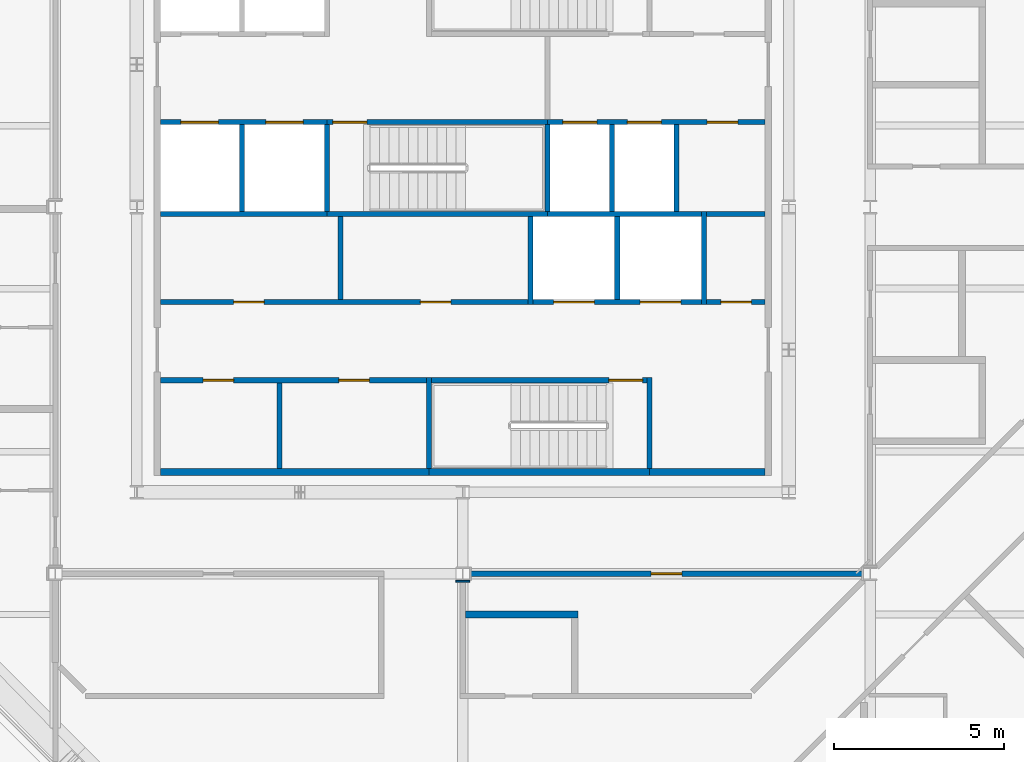
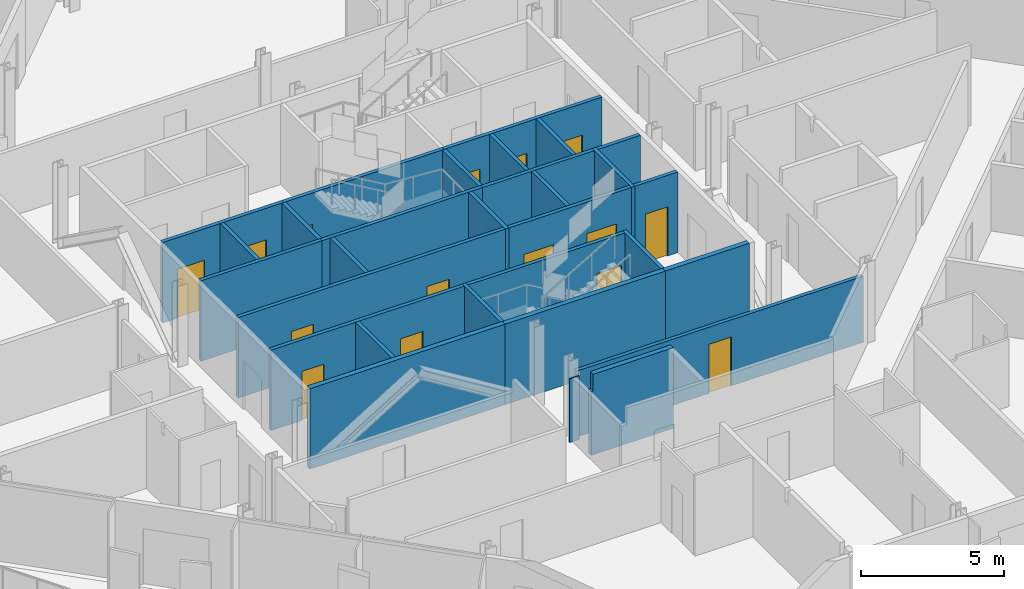
# One storey, part 8 of 17: 30 walls, 15 doors, 15 openings.
"""IFC4 building model written with IfcOpenShell, lengths in metres."""

from ifc_helpers import new_model, si_unit, direction, frame, frame_2d, origin, place, context, subcontext, project, spatial, polyline, rectangle, outline, extrude, material, layer, layer_set, type_object, element, fill, save


model = new_model("IFC4")

# Units and contexts
model_context = context("Model", 3, precision=1e-05, world=origin(), true_north=direction((0.0, 1.0)))
body_context = subcontext(model_context, "Body", "Model", "MODEL_VIEW")
ifc_project = project(units=[si_unit("LENGTHUNIT", "METRE"), si_unit("AREAUNIT", "SQUARE_METRE"), si_unit("VOLUMEUNIT", "CUBIC_METRE"), si_unit("PLANEANGLEUNIT", "RADIAN"), si_unit("MASSUNIT", "GRAM", prefix="KILO")], contexts=[model_context])

# Site, building, storey
site_placement = place(None, origin())
site = spatial("IfcSite", under=ifc_project, at=site_placement, CompositionType="ELEMENT")
building_placement = place(site_placement, origin())
building = spatial("IfcBuilding", under=site, at=building_placement, Name="Cairn Pilgrim Tower", CompositionType="ELEMENT")
storey_placement = place(building_placement, frame((0.0, 0.0, 225.0)))
storey = spatial("IfcBuildingStorey", under=building, at=storey_placement, Name="L57", CompositionType="ELEMENT", Elevation=225.0)

# Walls
ifc_material_1 = material(Name="Concrete C32/40", Category="concrete")
ifc_layer_1 = layer(ifc_material_1, 0.199951171875)
ifc_layer_set_1 = layer_set([ifc_layer_1], Name="CORE OUTER WALL 200 EI 120")
wall_type_1 = type_object("IfcWallType", Name="CORE OUTER WALL 200 EI 120", PredefinedType="SOLIDWALL", material=ifc_layer_set_1)
wall_1_placement = place(storey_placement, frame((-1.699951171875, -5.39990234375, 0.0), z_axis=(0.0, 0.0, 1.0), x_axis=(1.0, 0.0, 0.0)))
element("IfcWall", 1, at=wall_1_placement, inside=storey, type_object=wall_type_1, Name="CW:L57:H01-1", PredefinedType="SOLIDWALL", context=body_context, shape_type="SweptSolid", body=[
    extrude(rectangle(XDim=7.89990234375, YDim=0.199951171875, at=frame_2d((3.949951171875, 0.0))), origin(), (0.0, 0.0, 1.0), 3.449951171875),
])
wall_2_placement = place(storey_placement, frame((12.699951171875, -5.39990234375, 0.0), z_axis=(0.0, 0.0, 1.0), x_axis=(1.0, 0.0, 0.0)))
element("IfcWall", 2, at=wall_2_placement, inside=storey, type_object=wall_type_1, Name="CW:L57:H01-3", PredefinedType="SOLIDWALL", context=body_context, shape_type="SweptSolid", body=[
    extrude(rectangle(XDim=3.400146484375, YDim=0.199951171875, at=frame_2d((1.7001953125, 0.0))), origin(), (0.0, 0.0, 1.0), 3.449951171875),
])

# Wall, openings, doors
ifc_layer_2 = layer(ifc_material_1, 0.14990234375)
ifc_layer_set_2 = layer_set([ifc_layer_2], Name="CORE PARTITION 150 EI 60")
wall_type_2 = type_object("IfcWallType", Name="CORE PARTITION 150 EI 60", PredefinedType="PARTITIONING", material=ifc_layer_set_2)
wall_3_placement = place(storey_placement, frame((-1.699951171875, -2.699951171875, 0.0), z_axis=(0.0, 0.0, 1.0), x_axis=(1.0, 0.0, 0.0)))
wall_3 = element("IfcWall", 3, at=wall_3_placement, inside=storey, type_object=wall_type_2, Name="CW:L57:H02", PredefinedType="PARTITIONING", context=body_context, shape_type="SweptSolid", body=[
    extrude(rectangle(XDim=7.824951171875, YDim=0.14990234375, at=frame_2d((3.91259765625, 0.0))), origin(), (0.0, 0.0, 1.0), 3.449951171875),
])
opening_1_placement = place(wall_3_placement, frame((1.25, 0.0, 0.0)))
opening_1 = element("IfcOpeningElement", 4, at=opening_1_placement, cuts=wall_3, Name="Opening RD-R1W1", PredefinedType="OPENING", context=body_context, shape_type="SweptSolid", body=[
    extrude(rectangle(XDim=0.89990234375, YDim=2.10009765625, at=frame_2d((0.449951171875, 1.050048828125))), frame((0.0, 0.0849609375, 0.0), z_axis=(0.0, -1.0, 0.0), x_axis=(1.0, 0.0, 0.0)), (0.0, 0.0, 1.0), 0.169921875),
])
opening_2_placement = place(wall_3_placement, frame((5.25, 0.0, 0.0)))
opening_2 = element("IfcOpeningElement", 5, at=opening_2_placement, cuts=wall_3, Name="Opening RD-R1W2", PredefinedType="OPENING", context=body_context, shape_type="SweptSolid", body=[
    extrude(rectangle(XDim=0.89990234375, YDim=2.10009765625, at=frame_2d((0.449951171875, 1.050048828125))), frame((0.0, 0.0849609375, 0.0), z_axis=(0.0, -1.0, 0.0), x_axis=(1.0, 0.0, 0.0)), (0.0, 0.0, 1.0), 0.169921875),
])
ifc_material_2 = material(Name="Painted steel", Category="steel")
door_type_1 = type_object("IfcDoorType", Name="SERVICE ROOM DOOR 900x2100", OperationType="SINGLE_SWING_LEFT", PredefinedType="DOOR", material=ifc_material_2)
door_1_placement = place(opening_1_placement, origin())
door_1 = element("IfcDoor", 6, at=door_1_placement, inside=storey, type_object=door_type_1, Name="RD-R1W1", OperationType="SINGLE_SWING_LEFT", OverallHeight=2.10009765625, OverallWidth=0.89990234375, PredefinedType="DOOR", context=body_context, shape_type="SweptSolid", body=[
    extrude(rectangle(XDim=0.89990234375, YDim=2.10009765625, at=frame_2d((0.449951171875, 1.050048828125))), frame((0.0, 0.02490234375, 0.0), z_axis=(0.0, -1.0, 0.0), x_axis=(1.0, 0.0, 0.0)), (0.0, 0.0, 1.0), 0.050048828125),
])
fill(opening_1, door_1)
door_2_placement = place(opening_2_placement, origin())
door_2 = element("IfcDoor", 7, at=door_2_placement, inside=storey, type_object=door_type_1, Name="RD-R1W2", OperationType="SINGLE_SWING_RIGHT", OverallHeight=2.10009765625, OverallWidth=0.89990234375, PredefinedType="DOOR", context=body_context, shape_type="SweptSolid", body=[
    extrude(rectangle(XDim=0.89990234375, YDim=2.10009765625, at=frame_2d((0.449951171875, 1.050048828125))), frame((0.0, 0.02490234375, 0.0), z_axis=(0.0, -1.0, 0.0), x_axis=(1.0, 0.0, 0.0)), (0.0, 0.0, 1.0), 0.050048828125),
])
fill(opening_2, door_2)

wall_4_placement = place(storey_placement, frame((-1.699951171875, -0.39990234375, 0.0), z_axis=(0.0, 0.0, 1.0), x_axis=(1.0, 0.0, 0.0)))
wall_4 = element("IfcWall", 8, at=wall_4_placement, inside=storey, type_object=wall_type_2, Name="CW:L57:H04", PredefinedType="PARTITIONING", context=body_context, shape_type="SweptSolid", body=[
    extrude(rectangle(XDim=10.824951171875, YDim=0.14990234375, at=frame_2d((5.41259765625, 0.0))), origin(), (0.0, 0.0, 1.0), 3.449951171875),
])
opening_3_placement = place(wall_4_placement, frame((2.14990234375, 0.0, 0.0)))
opening_3 = element("IfcOpeningElement", 9, at=opening_3_placement, cuts=wall_4, Name="Opening RD-R2W1", PredefinedType="OPENING", context=body_context, shape_type="SweptSolid", body=[
    extrude(rectangle(XDim=0.89990234375, YDim=2.10009765625, at=frame_2d((0.449951171875, 1.050048828125))), frame((0.0, 0.0849609375, 0.0), z_axis=(0.0, -1.0, 0.0), x_axis=(1.0, 0.0, 0.0)), (0.0, 0.0, 1.0), 0.169921875),
])
opening_4_placement = place(wall_4_placement, frame((7.64990234375, 0.0, 0.0)))
opening_4 = element("IfcOpeningElement", 10, at=opening_4_placement, cuts=wall_4, Name="Opening RD-R2W2", PredefinedType="OPENING", context=body_context, shape_type="SweptSolid", body=[
    extrude(rectangle(XDim=0.89990234375, YDim=2.10009765625, at=frame_2d((0.449951171875, 1.050048828125))), frame((0.0, 0.0849609375, 0.0), z_axis=(0.0, -1.0, 0.0), x_axis=(1.0, 0.0, 0.0)), (0.0, 0.0, 1.0), 0.169921875),
])
door_3_placement = place(opening_3_placement, origin())
door_3 = element("IfcDoor", 11, at=door_3_placement, inside=storey, type_object=door_type_1, Name="RD-R2W1", OperationType="SINGLE_SWING_LEFT", OverallHeight=2.10009765625, OverallWidth=0.89990234375, PredefinedType="DOOR", context=body_context, shape_type="SweptSolid", body=[
    extrude(rectangle(XDim=0.89990234375, YDim=2.10009765625, at=frame_2d((0.449951171875, 1.050048828125))), frame((0.0, 0.02490234375, 0.0), z_axis=(0.0, -1.0, 0.0), x_axis=(1.0, 0.0, 0.0)), (0.0, 0.0, 1.0), 0.050048828125),
])
fill(opening_3, door_3)
door_4_placement = place(opening_4_placement, origin())
door_4 = element("IfcDoor", 12, at=door_4_placement, inside=storey, type_object=door_type_1, Name="RD-R2W2", OperationType="SINGLE_SWING_RIGHT", OverallHeight=2.10009765625, OverallWidth=0.89990234375, PredefinedType="DOOR", context=body_context, shape_type="SweptSolid", body=[
    extrude(rectangle(XDim=0.89990234375, YDim=2.10009765625, at=frame_2d((0.449951171875, 1.050048828125))), frame((0.0, 0.02490234375, 0.0), z_axis=(0.0, -1.0, 0.0), x_axis=(1.0, 0.0, 0.0)), (0.0, 0.0, 1.0), 0.050048828125),
])
fill(opening_4, door_4)

# Wall, opening, door
wall_5_placement = place(storey_placement, frame((14.375, -0.39990234375, 0.0), z_axis=(0.0, 0.0, 1.0), x_axis=(1.0, 0.0, 0.0)))
wall_5 = element("IfcWall", 13, at=wall_5_placement, inside=storey, type_object=wall_type_2, Name="CW:L57:H06", PredefinedType="PARTITIONING", context=body_context, shape_type="SweptSolid", body=[
    extrude(rectangle(XDim=1.72509765625, YDim=0.14990234375, at=frame_2d((0.862548828125, 0.0))), origin(), (0.0, 0.0, 1.0), 3.449951171875),
])
opening_5_placement = place(wall_5_placement, frame((0.425048828125, 0.0, 0.0)))
opening_5 = element("IfcOpeningElement", 14, at=opening_5_placement, cuts=wall_5, Name="Opening RD-R2E", PredefinedType="OPENING", context=body_context, shape_type="SweptSolid", body=[
    extrude(rectangle(XDim=0.89990234375, YDim=2.10009765625, at=frame_2d((0.449951171875, 1.050048828125))), frame((0.0, 0.0849609375, 0.0), z_axis=(0.0, -1.0, 0.0), x_axis=(1.0, 0.0, 0.0)), (0.0, 0.0, 1.0), 0.169921875),
])
door_5_placement = place(opening_5_placement, origin())
door_5 = element("IfcDoor", 15, at=door_5_placement, inside=storey, type_object=door_type_1, Name="RD-R2E", OperationType="SINGLE_SWING_RIGHT", OverallHeight=2.10009765625, OverallWidth=0.89990234375, PredefinedType="DOOR", context=body_context, shape_type="SweptSolid", body=[
    extrude(rectangle(XDim=0.89990234375, YDim=2.10009765625, at=frame_2d((0.449951171875, 1.050048828125))), frame((0.0, 0.02490234375, 0.0), z_axis=(0.0, -1.0, 0.0), x_axis=(1.0, 0.0, 0.0)), (0.0, 0.0, 1.0), 0.050048828125),
])
fill(opening_5, door_5)

# Walls
wall_6_placement = place(storey_placement, frame((14.375, 2.199951171875, 0.0), z_axis=(0.0, 0.0, 1.0), x_axis=(1.0, 0.0, 0.0)))
element("IfcWall", 16, at=wall_6_placement, inside=storey, type_object=wall_type_2, Name="CW:L57:H08", PredefinedType="PARTITIONING", context=body_context, shape_type="SweptSolid", body=[
    extrude(rectangle(XDim=1.72509765625, YDim=0.14990234375, at=frame_2d((0.862548828125, 0.0))), origin(), (0.0, 0.0, 1.0), 3.449951171875),
])
wall_7_placement = place(storey_placement, frame((1.800048828125, -5.300048828125, 0.0), z_axis=(0.0, 0.0, 1.0), x_axis=(0.0, 1.0, 0.0)))
element("IfcWall", 17, at=wall_7_placement, inside=storey, type_object=wall_type_2, Name="CW:L57:V16", PredefinedType="PARTITIONING", context=body_context, shape_type="SweptSolid", body=[
    extrude(rectangle(XDim=2.525146484375, YDim=0.14990234375, at=frame_2d((1.2626953125, 0.0))), origin(), (0.0, 0.0, 1.0), 3.449951171875),
])
wall_8_placement = place(storey_placement, frame((3.60009765625, -0.324951171875, 0.0), z_axis=(0.0, 0.0, 1.0), x_axis=(0.0, 1.0, 0.0)))
element("IfcWall", 18, at=wall_8_placement, inside=storey, type_object=wall_type_2, Name="CW:L57:V19", PredefinedType="PARTITIONING", context=body_context, shape_type="SweptSolid", body=[
    extrude(rectangle(XDim=2.449951171875, YDim=0.14990234375, at=frame_2d((1.22509765625, 0.0))), origin(), (0.0, 0.0, 1.0), 3.449951171875),
])

# Wall, openings, doors
ifc_layer_3 = layer(ifc_material_1, 0.14990234375)
ifc_layer_set_3 = layer_set([ifc_layer_3], Name="CORE SHAFT WALL 150 EI 120")
wall_type_3 = type_object("IfcWallType", Name="CORE SHAFT WALL 150 EI 120", PredefinedType="SOLIDWALL", material=ifc_layer_set_3)
wall_9_placement = place(storey_placement, frame((9.27490234375, -0.39990234375, 0.0), z_axis=(0.0, 0.0, 1.0), x_axis=(1.0, 0.0, 0.0)))
wall_9 = element("IfcWall", 19, at=wall_9_placement, inside=storey, type_object=wall_type_3, Name="CW:L57:H05", PredefinedType="SOLIDWALL", context=body_context, shape_type="SweptSolid", body=[
    extrude(rectangle(XDim=4.9501953125, YDim=0.14990234375, at=frame_2d((2.47509765625, 0.0))), origin(), (0.0, 0.0, 1.0), 3.449951171875),
])
opening_6_placement = place(wall_9_placement, frame((0.60009765625, 0.0, 0.0)))
opening_6 = element("IfcOpeningElement", 20, at=opening_6_placement, cuts=wall_9, Name="Opening LD-SV1", PredefinedType="OPENING", context=body_context, shape_type="SweptSolid", body=[
    extrude(rectangle(XDim=1.199951171875, YDim=2.10009765625, at=frame_2d((0.60009765625, 1.050048828125))), frame((0.0, 0.0849609375, 0.0), z_axis=(0.0, -1.0, 0.0), x_axis=(1.0, 0.0, 0.0)), (0.0, 0.0, 1.0), 0.169921875),
])
opening_7_placement = place(wall_9_placement, frame((3.14990234375, 0.0, 0.0)))
opening_7 = element("IfcOpeningElement", 21, at=opening_7_placement, cuts=wall_9, Name="Opening LD-SV2", PredefinedType="OPENING", context=body_context, shape_type="SweptSolid", body=[
    extrude(rectangle(XDim=1.199951171875, YDim=2.10009765625, at=frame_2d((0.60009765625, 1.050048828125))), frame((0.0, 0.0849609375, 0.0), z_axis=(0.0, -1.0, 0.0), x_axis=(1.0, 0.0, 0.0)), (0.0, 0.0, 1.0), 0.169921875),
])
ifc_material_3 = material(Name="Stainless steel", Category="steel")
door_type_2 = type_object("IfcDoorType", Name="LIFT LANDING DOOR 1200x2100", OperationType="DOUBLE_DOOR_SLIDING", PredefinedType="DOOR", material=ifc_material_3)
door_6_placement = place(opening_6_placement, origin())
door_6 = element("IfcDoor", 22, at=door_6_placement, inside=storey, type_object=door_type_2, Name="LANDING DOOR SV1", OperationType="DOUBLE_DOOR_SLIDING", OverallHeight=2.10009765625, OverallWidth=1.199951171875, PredefinedType="DOOR", context=body_context, shape_type="SweptSolid", body=[
    extrude(rectangle(XDim=1.199951171875, YDim=2.10009765625, at=frame_2d((0.60009765625, 1.050048828125))), frame((0.0, 0.02490234375, 0.0), z_axis=(0.0, -1.0, 0.0), x_axis=(1.0, 0.0, 0.0)), (0.0, 0.0, 1.0), 0.050048828125),
])
fill(opening_6, door_6)
door_7_placement = place(opening_7_placement, origin())
door_7 = element("IfcDoor", 23, at=door_7_placement, inside=storey, type_object=door_type_2, Name="LANDING DOOR SV2", OperationType="DOUBLE_DOOR_SLIDING", OverallHeight=2.10009765625, OverallWidth=1.199951171875, PredefinedType="DOOR", context=body_context, shape_type="SweptSolid", body=[
    extrude(rectangle(XDim=1.199951171875, YDim=2.10009765625, at=frame_2d((0.60009765625, 1.050048828125))), frame((0.0, 0.02490234375, 0.0), z_axis=(0.0, -1.0, 0.0), x_axis=(1.0, 0.0, 0.0)), (0.0, 0.0, 1.0), 0.050048828125),
])
fill(opening_7, door_7)

# Walls
wall_10_placement = place(storey_placement, frame((-1.699951171875, 2.199951171875, 0.0), z_axis=(0.0, 0.0, 1.0), x_axis=(1.0, 0.0, 0.0)))
element("IfcWall", 24, at=wall_10_placement, inside=storey, type_object=wall_type_3, Name="CW:L57:H07-1", PredefinedType="SOLIDWALL", context=body_context, shape_type="SweptSolid", body=[
    extrude(rectangle(XDim=4.89990234375, YDim=0.14990234375, at=frame_2d((2.449951171875, 0.0))), origin(), (0.0, 0.0, 1.0), 3.449951171875),
])
wall_11_placement = place(storey_placement, frame((9.699951171875, 2.199951171875, 0.0), z_axis=(0.0, 0.0, 1.0), x_axis=(1.0, 0.0, 0.0)))
element("IfcWall", 25, at=wall_11_placement, inside=storey, type_object=wall_type_3, Name="CW:L57:H07-3", PredefinedType="SOLIDWALL", context=body_context, shape_type="SweptSolid", body=[
    extrude(rectangle(XDim=4.525146484375, YDim=0.14990234375, at=frame_2d((2.2626953125, 0.0))), origin(), (0.0, 0.0, 1.0), 3.449951171875),
])

# Wall, openings, doors
wall_12_placement = place(storey_placement, frame((-1.699951171875, 4.89990234375, 0.0), z_axis=(0.0, 0.0, 1.0), x_axis=(1.0, 0.0, 0.0)))
wall_12 = element("IfcWall", 26, at=wall_12_placement, inside=storey, type_object=wall_type_3, Name="CW:L57:H09-1", PredefinedType="SOLIDWALL", context=body_context, shape_type="SweptSolid", body=[
    extrude(rectangle(XDim=4.89990234375, YDim=0.14990234375, at=frame_2d((2.449951171875, 0.0))), origin(), (0.0, 0.0, 1.0), 3.449951171875),
])
opening_8_placement = place(wall_12_placement, frame((0.60009765625, 0.0, 0.0)))
opening_8 = element("IfcOpeningElement", 27, at=opening_8_placement, cuts=wall_12, Name="Opening LD-HR1", PredefinedType="OPENING", context=body_context, shape_type="SweptSolid", body=[
    extrude(rectangle(XDim=1.10009765625, YDim=2.10009765625, at=frame_2d((0.550048828125, 1.050048828125))), frame((0.0, 0.0849609375, 0.0), z_axis=(0.0, -1.0, 0.0), x_axis=(1.0, 0.0, 0.0)), (0.0, 0.0, 1.0), 0.169921875),
])
opening_9_placement = place(wall_12_placement, frame((3.10009765625, 0.0, 0.0)))
opening_9 = element("IfcOpeningElement", 28, at=opening_9_placement, cuts=wall_12, Name="Opening LD-HR2", PredefinedType="OPENING", context=body_context, shape_type="SweptSolid", body=[
    extrude(rectangle(XDim=1.10009765625, YDim=2.10009765625, at=frame_2d((0.550048828125, 1.050048828125))), frame((0.0, 0.0849609375, 0.0), z_axis=(0.0, -1.0, 0.0), x_axis=(1.0, 0.0, 0.0)), (0.0, 0.0, 1.0), 0.169921875),
])
door_type_3 = type_object("IfcDoorType", Name="LIFT LANDING DOOR 1100x2100", OperationType="DOUBLE_DOOR_SLIDING", PredefinedType="DOOR", material=ifc_material_3)
door_8_placement = place(opening_8_placement, origin())
door_8 = element("IfcDoor", 29, at=door_8_placement, inside=storey, type_object=door_type_3, Name="LANDING DOOR HR1", OperationType="DOUBLE_DOOR_SLIDING", OverallHeight=2.10009765625, OverallWidth=1.10009765625, PredefinedType="DOOR", context=body_context, shape_type="SweptSolid", body=[
    extrude(rectangle(XDim=1.10009765625, YDim=2.10009765625, at=frame_2d((0.550048828125, 1.050048828125))), frame((0.0, 0.02490234375, 0.0), z_axis=(0.0, -1.0, 0.0), x_axis=(1.0, 0.0, 0.0)), (0.0, 0.0, 1.0), 0.050048828125),
])
fill(opening_8, door_8)
door_9_placement = place(opening_9_placement, origin())
door_9 = element("IfcDoor", 30, at=door_9_placement, inside=storey, type_object=door_type_3, Name="LANDING DOOR HR2", OperationType="DOUBLE_DOOR_SLIDING", OverallHeight=2.10009765625, OverallWidth=1.10009765625, PredefinedType="DOOR", context=body_context, shape_type="SweptSolid", body=[
    extrude(rectangle(XDim=1.10009765625, YDim=2.10009765625, at=frame_2d((0.550048828125, 1.050048828125))), frame((0.0, 0.02490234375, 0.0), z_axis=(0.0, -1.0, 0.0), x_axis=(1.0, 0.0, 0.0)), (0.0, 0.0, 1.0), 0.050048828125),
])
fill(opening_9, door_9)

wall_13_placement = place(storey_placement, frame((9.699951171875, 4.89990234375, 0.0), z_axis=(0.0, 0.0, 1.0), x_axis=(1.0, 0.0, 0.0)))
wall_13 = element("IfcWall", 31, at=wall_13_placement, inside=storey, type_object=wall_type_3, Name="CW:L57:H09-3", PredefinedType="SOLIDWALL", context=body_context, shape_type="SweptSolid", body=[
    extrude(rectangle(XDim=6.400146484375, YDim=0.14990234375, at=frame_2d((3.2001953125, 0.0))), origin(), (0.0, 0.0, 1.0), 3.449951171875),
])
opening_10_placement = place(wall_13_placement, frame((0.449951171875, 0.0, 0.0)))
opening_10 = element("IfcOpeningElement", 32, at=opening_10_placement, cuts=wall_13, Name="Opening LD-FF1", PredefinedType="OPENING", context=body_context, shape_type="SweptSolid", body=[
    extrude(rectangle(XDim=1.0, YDim=2.10009765625, at=frame_2d((0.5, 1.050048828125))), frame((0.0, 0.0849609375, 0.0), z_axis=(0.0, -1.0, 0.0), x_axis=(1.0, 0.0, 0.0)), (0.0, 0.0, 1.0), 0.169921875),
])
opening_11_placement = place(wall_13_placement, frame((2.35009765625, 0.0, 0.0)))
opening_11 = element("IfcOpeningElement", 33, at=opening_11_placement, cuts=wall_13, Name="Opening LD-FF2", PredefinedType="OPENING", context=body_context, shape_type="SweptSolid", body=[
    extrude(rectangle(XDim=1.0, YDim=2.10009765625, at=frame_2d((0.5, 1.050048828125))), frame((0.0, 0.0849609375, 0.0), z_axis=(0.0, -1.0, 0.0), x_axis=(1.0, 0.0, 0.0)), (0.0, 0.0, 1.0), 0.169921875),
])
opening_12_placement = place(wall_13_placement, frame((4.699951171875, 0.0, 0.0)))
opening_12 = element("IfcOpeningElement", 34, at=opening_12_placement, cuts=wall_13, Name="Opening RD-R3E", PredefinedType="OPENING", context=body_context, shape_type="SweptSolid", body=[
    extrude(rectangle(XDim=0.89990234375, YDim=2.10009765625, at=frame_2d((0.449951171875, 1.050048828125))), frame((0.0, 0.0849609375, 0.0), z_axis=(0.0, -1.0, 0.0), x_axis=(1.0, 0.0, 0.0)), (0.0, 0.0, 1.0), 0.169921875),
])
door_type_4 = type_object("IfcDoorType", Name="LIFT LANDING DOOR FIRE 1000x2100", OperationType="DOUBLE_DOOR_SLIDING", PredefinedType="DOOR", material=ifc_material_3)
door_10_placement = place(opening_10_placement, origin())
door_10 = element("IfcDoor", 35, at=door_10_placement, inside=storey, type_object=door_type_4, Name="LANDING DOOR FF1", OperationType="DOUBLE_DOOR_SLIDING", OverallHeight=2.10009765625, OverallWidth=1.0, PredefinedType="DOOR", context=body_context, shape_type="SweptSolid", body=[
    extrude(rectangle(XDim=1.0, YDim=2.10009765625, at=frame_2d((0.5, 1.050048828125))), frame((0.0, 0.02490234375, 0.0), z_axis=(0.0, -1.0, 0.0), x_axis=(1.0, 0.0, 0.0)), (0.0, 0.0, 1.0), 0.050048828125),
])
fill(opening_10, door_10)
door_11_placement = place(opening_11_placement, origin())
door_11 = element("IfcDoor", 36, at=door_11_placement, inside=storey, type_object=door_type_4, Name="LANDING DOOR FF2", OperationType="DOUBLE_DOOR_SLIDING", OverallHeight=2.10009765625, OverallWidth=1.0, PredefinedType="DOOR", context=body_context, shape_type="SweptSolid", body=[
    extrude(rectangle(XDim=1.0, YDim=2.10009765625, at=frame_2d((0.5, 1.050048828125))), frame((0.0, 0.02490234375, 0.0), z_axis=(0.0, -1.0, 0.0), x_axis=(1.0, 0.0, 0.0)), (0.0, 0.0, 1.0), 0.050048828125),
])
fill(opening_11, door_11)
door_12_placement = place(opening_12_placement, origin())
door_12 = element("IfcDoor", 37, at=door_12_placement, inside=storey, type_object=door_type_1, Name="RD-R3E", OperationType="SINGLE_SWING_LEFT", OverallHeight=2.10009765625, OverallWidth=0.89990234375, PredefinedType="DOOR", context=body_context, shape_type="SweptSolid", body=[
    extrude(rectangle(XDim=0.89990234375, YDim=2.10009765625, at=frame_2d((0.449951171875, 1.050048828125))), frame((0.0, 0.02490234375, 0.0), z_axis=(0.0, -1.0, 0.0), x_axis=(1.0, 0.0, 0.0)), (0.0, 0.0, 1.0), 0.050048828125),
])
fill(opening_12, door_12)

# Walls
wall_14_placement = place(storey_placement, frame((0.699951171875, 2.27490234375, 0.0), z_axis=(0.0, 0.0, 1.0), x_axis=(0.0, 1.0, 0.0)))
element("IfcWall", 38, at=wall_14_placement, inside=storey, type_object=wall_type_3, Name="CW:L57:V14", PredefinedType="SOLIDWALL", context=body_context, shape_type="SweptSolid", body=[
    extrude(rectangle(XDim=2.550048828125, YDim=0.14990234375, at=frame_2d((1.27490234375, 0.0))), origin(), (0.0, 0.0, 1.0), 3.449951171875),
])
wall_15_placement = place(storey_placement, frame((9.199951171875, -0.47509765625, 0.0), z_axis=(0.0, 0.0, 1.0), x_axis=(0.0, 1.0, 0.0)))
element("IfcWall", 39, at=wall_15_placement, inside=storey, type_object=wall_type_3, Name="CW:L57:V22", PredefinedType="SOLIDWALL", context=body_context, shape_type="SweptSolid", body=[
    extrude(rectangle(XDim=2.60009765625, YDim=0.14990234375, at=frame_2d((1.300048828125, 0.0))), origin(), (0.0, 0.0, 1.0), 3.449951171875),
])
wall_16_placement = place(storey_placement, frame((11.60009765625, 2.27490234375, 0.0), z_axis=(0.0, 0.0, 1.0), x_axis=(0.0, 1.0, 0.0)))
element("IfcWall", 40, at=wall_16_placement, inside=storey, type_object=wall_type_3, Name="CW:L57:V25", PredefinedType="SOLIDWALL", context=body_context, shape_type="SweptSolid", body=[
    extrude(rectangle(XDim=2.550048828125, YDim=0.14990234375, at=frame_2d((1.27490234375, 0.0))), origin(), (0.0, 0.0, 1.0), 3.449951171875),
])
wall_17_placement = place(storey_placement, frame((11.75, -0.324951171875, 0.0), z_axis=(0.0, 0.0, 1.0), x_axis=(0.0, 1.0, 0.0)))
element("IfcWall", 41, at=wall_17_placement, inside=storey, type_object=wall_type_3, Name="CW:L57:V26", PredefinedType="SOLIDWALL", context=body_context, shape_type="SweptSolid", body=[
    extrude(rectangle(XDim=2.449951171875, YDim=0.14990234375, at=frame_2d((1.22509765625, 0.0))), origin(), (0.0, 0.0, 1.0), 3.449951171875),
])
wall_18_placement = place(storey_placement, frame((13.5, 2.27490234375, 0.0), z_axis=(0.0, 0.0, 1.0), x_axis=(0.0, 1.0, 0.0)))
element("IfcWall", 42, at=wall_18_placement, inside=storey, type_object=wall_type_3, Name="CW:L57:V29", PredefinedType="SOLIDWALL", context=body_context, shape_type="SweptSolid", body=[
    extrude(rectangle(XDim=2.550048828125, YDim=0.14990234375, at=frame_2d((1.27490234375, 0.0))), origin(), (0.0, 0.0, 1.0), 3.449951171875),
])
wall_19_placement = place(storey_placement, frame((14.300048828125, -0.47509765625, 0.0), z_axis=(0.0, 0.0, 1.0), x_axis=(0.0, 1.0, 0.0)))
element("IfcWall", 43, at=wall_19_placement, inside=storey, type_object=wall_type_3, Name="CW:L57:V30", PredefinedType="SOLIDWALL", context=body_context, shape_type="SweptSolid", body=[
    extrude(rectangle(XDim=2.75, YDim=0.14990234375, at=frame_2d((1.375, 0.0))), origin(), (0.0, 0.0, 1.0), 3.449951171875),
])

# Wall, opening, door
ifc_material_4 = material(Name="Gypsum partition")
ifc_layer_4 = layer(ifc_material_4, 0.14990234375)
ifc_layer_set_4 = layer_set([ifc_layer_4], Name="PARTITION 150 DRYWALL EI 60")
wall_type_4 = type_object("IfcWallType", Name="PARTITION 150 DRYWALL EI 60", PredefinedType="PARTITIONING", material=ifc_layer_set_4)
wall_20_placement = place(storey_placement, frame((7.3994140625, -8.39990234375, 0.0), z_axis=(0.0, 0.0, 1.0), x_axis=(1.0, 0.0, 0.0)))
wall_20 = element("IfcWall", 44, at=wall_20_placement, inside=storey, type_object=wall_type_4, Name="PARTITION W031", PredefinedType="PARTITIONING", context=body_context, shape_type="SweptSolid", body=[
    extrude(rectangle(XDim=11.60107421875, YDim=0.14990234375, at=frame_2d((5.800537109375, 0.0))), origin(), (0.0, 0.0, 1.0), 2.830078125),
])
opening_13_placement = place(wall_20_placement, frame((5.3505859375, 0.0, 0.0)))
opening_13 = element("IfcOpeningElement", 45, at=opening_13_placement, cuts=wall_20, Name="Opening 5723", PredefinedType="OPENING", context=body_context, shape_type="SweptSolid", body=[
    extrude(rectangle(XDim=0.89990234375, YDim=2.10009765625, at=frame_2d((0.449951171875, 1.050048828125))), frame((0.0, 0.0849609375, 0.0), z_axis=(0.0, -1.0, 0.0), x_axis=(1.0, 0.0, 0.0)), (0.0, 0.0, 1.0), 0.169921875),
])
ifc_material_5 = material(Name="Timber door leaf", Category="wood")
door_type_5 = type_object("IfcDoorType", Name="SERVICE DOOR 900x2100 FD30S", OperationType="NOTDEFINED", PredefinedType="DOOR", material=ifc_material_5)
door_13_placement = place(opening_13_placement, frame((0.89990234375, 0.0, 0.0), z_axis=(0.0, 0.0, 1.0), x_axis=(-1.0, 0.0, 0.0)))
door_13 = element("IfcDoor", 46, at=door_13_placement, inside=storey, type_object=door_type_5, Name="DOOR 5723", OperationType="SINGLE_SWING_LEFT", OverallHeight=2.10009765625, OverallWidth=0.89990234375, PredefinedType="DOOR", context=body_context, shape_type="SweptSolid", body=[
    extrude(rectangle(XDim=0.89990234375, YDim=2.10009765625, at=frame_2d((0.449951171875, 1.050048828125))), frame((0.0, 0.02490234375, 0.0), z_axis=(0.0, -1.0, 0.0), x_axis=(1.0, 0.0, 0.0)), (0.0, 0.0, 1.0), 0.050048828125),
])
fill(opening_13, door_13)

# Walls
ifc_layer_5 = layer(ifc_material_4, 0.050048828125)
ifc_layer_set_5 = layer_set([ifc_layer_5], Name="PARTITION 50 DRYWALL EI 60")
wall_type_5 = type_object("IfcWallType", Name="PARTITION 50 DRYWALL EI 60", PredefinedType="PARTITIONING", material=ifc_layer_set_5)
wall_21_placement = place(storey_placement, frame((7.00048828125, -8.62158203125, 0.0), z_axis=(0.0, 0.0, 1.0), x_axis=(1.0, 0.0, 0.0)))
element("IfcWall", 47, at=wall_21_placement, inside=storey, type_object=wall_type_5, Name="COLUMN CASING WC12", PredefinedType="PARTITIONING", context=body_context, shape_type="SweptSolid", body=[
    extrude(rectangle(XDim=0.39892578125, YDim=0.050048828125, at=frame_2d((0.199462890625, 0.0))), origin(), (0.0, 0.0, 1.0), 2.72998046875),
])
ifc_layer_6 = layer(ifc_material_4, 0.199951171875)
ifc_layer_set_6 = layer_set([ifc_layer_6], Name="SHAFT WALL 200 GYPSUM EI 60")
wall_type_6 = type_object("IfcWallType", Name="SHAFT WALL 200 GYPSUM EI 60", PredefinedType="PARTITIONING", material=ifc_layer_set_6)
wall_22_placement = place(storey_placement, frame((7.27490234375, -9.60009765625, 0.0), z_axis=(0.0, 0.0, 1.0), x_axis=(1.0, 0.0, 0.0)))
element("IfcWall", 48, at=wall_22_placement, inside=storey, type_object=wall_type_6, Name="PARTITION W028", PredefinedType="PARTITIONING", context=body_context, shape_type="SweptSolid", body=[
    extrude(outline(polyline([(0.0, 0.0), (3.3251953125, 0.0), (3.324951171875, 3.449951171875), (0.074951171875, 3.449951171875), (0.072998046875, 2.72998046875), (0.0, 2.72998046875), (0.0, 0.0)])), frame((0.0, 0.10009765625, 0.0), z_axis=(0.0, -1.0, 0.0), x_axis=(1.0, 0.0, 0.0)), (0.0, 0.0, 1.0), 0.199951171875),
])

# Wall, opening, door
ifc_material_6 = material(Name="Concrete C35/45", Category="concrete")
ifc_layer_7 = layer(ifc_material_6, 0.14990234375)
ifc_layer_set_7 = layer_set([ifc_layer_7], Name="STAIR SHAFT WALL 150 EI 120")
wall_type_7 = type_object("IfcWallType", Name="STAIR SHAFT WALL 150 EI 120", PredefinedType="SOLIDWALL", material=ifc_layer_set_7)
wall_23_placement = place(storey_placement, frame((6.27490234375, -2.699951171875, 0.0), z_axis=(0.0, 0.0, 1.0), x_axis=(1.0, 0.0, 0.0)))
wall_23 = element("IfcWall", 49, at=wall_23_placement, inside=storey, type_object=wall_type_7, Name="CW:L57:H03", PredefinedType="SOLIDWALL", context=body_context, shape_type="SweptSolid", body=[
    extrude(rectangle(XDim=6.35009765625, YDim=0.14990234375, at=frame_2d((3.175048828125, 0.0))), origin(), (0.0, 0.0, 1.0), 3.449951171875),
])
opening_14_placement = place(wall_23_placement, frame((5.22509765625, 0.0, 0.0)))
opening_14 = element("IfcOpeningElement", 50, at=opening_14_placement, cuts=wall_23, Name="Opening SD-A", PredefinedType="OPENING", context=body_context, shape_type="SweptSolid", body=[
    extrude(rectangle(XDim=1.0, YDim=2.10009765625, at=frame_2d((0.5, 1.050048828125))), frame((0.0, 0.0849609375, 0.0), z_axis=(0.0, -1.0, 0.0), x_axis=(1.0, 0.0, 0.0)), (0.0, 0.0, 1.0), 0.169921875),
])
door_type_6 = type_object("IfcDoorType", Name="STAIR DOOR FD60S 1000x2100", OperationType="SINGLE_SWING_LEFT", PredefinedType="DOOR", material=ifc_material_2)
door_14_placement = place(opening_14_placement, origin())
door_14 = element("IfcDoor", 51, at=door_14_placement, inside=storey, type_object=door_type_6, Name="SD-A", OperationType="SINGLE_SWING_LEFT", OverallHeight=2.10009765625, OverallWidth=1.0, PredefinedType="DOOR", context=body_context, shape_type="SweptSolid", body=[
    extrude(rectangle(XDim=1.0, YDim=2.10009765625, at=frame_2d((0.5, 1.050048828125))), frame((0.0, 0.02490234375, 0.0), z_axis=(0.0, -1.0, 0.0), x_axis=(1.0, 0.0, 0.0)), (0.0, 0.0, 1.0), 0.050048828125),
])
fill(opening_14, door_14)

# Wall
wall_24_placement = place(storey_placement, frame((3.199951171875, 2.199951171875, 0.0), z_axis=(0.0, 0.0, 1.0), x_axis=(1.0, 0.0, 0.0)))
element("IfcWall", 52, at=wall_24_placement, inside=storey, type_object=wall_type_7, Name="CW:L57:H07-2", PredefinedType="SOLIDWALL", context=body_context, shape_type="SweptSolid", body=[
    extrude(rectangle(XDim=6.5, YDim=0.14990234375, at=frame_2d((3.25, 0.0))), origin(), (0.0, 0.0, 1.0), 3.449951171875),
])

# Wall, opening, door
wall_25_placement = place(storey_placement, frame((3.199951171875, 4.89990234375, 0.0), z_axis=(0.0, 0.0, 1.0), x_axis=(1.0, 0.0, 0.0)))
wall_25 = element("IfcWall", 53, at=wall_25_placement, inside=storey, type_object=wall_type_7, Name="CW:L57:H09-2", PredefinedType="SOLIDWALL", context=body_context, shape_type="SweptSolid", body=[
    extrude(rectangle(XDim=6.5, YDim=0.14990234375, at=frame_2d((3.25, 0.0))), origin(), (0.0, 0.0, 1.0), 3.449951171875),
])
opening_15_placement = place(wall_25_placement, frame((0.175048828125, 0.0, 0.0)))
opening_15 = element("IfcOpeningElement", 54, at=opening_15_placement, cuts=wall_25, Name="Opening SD-B", PredefinedType="OPENING", context=body_context, shape_type="SweptSolid", body=[
    extrude(rectangle(XDim=1.0, YDim=2.10009765625, at=frame_2d((0.5, 1.050048828125))), frame((0.0, 0.0849609375, 0.0), z_axis=(0.0, -1.0, 0.0), x_axis=(1.0, 0.0, 0.0)), (0.0, 0.0, 1.0), 0.169921875),
])
door_15_placement = place(opening_15_placement, origin())
door_15 = element("IfcDoor", 55, at=door_15_placement, inside=storey, type_object=door_type_6, Name="SD-B", OperationType="SINGLE_SWING_RIGHT", OverallHeight=2.10009765625, OverallWidth=1.0, PredefinedType="DOOR", context=body_context, shape_type="SweptSolid", body=[
    extrude(rectangle(XDim=1.0, YDim=2.10009765625, at=frame_2d((0.5, 1.050048828125))), frame((0.0, 0.02490234375, 0.0), z_axis=(0.0, -1.0, 0.0), x_axis=(1.0, 0.0, 0.0)), (0.0, 0.0, 1.0), 0.050048828125),
])
fill(opening_15, door_15)

# Walls
wall_26_placement = place(storey_placement, frame((3.199951171875, 2.27490234375, 0.0), z_axis=(0.0, 0.0, 1.0), x_axis=(0.0, 1.0, 0.0)))
element("IfcWall", 56, at=wall_26_placement, inside=storey, type_object=wall_type_7, Name="CW:L57:V17", PredefinedType="SOLIDWALL", context=body_context, shape_type="SweptSolid", body=[
    extrude(rectangle(XDim=2.550048828125, YDim=0.14990234375, at=frame_2d((1.27490234375, 0.0))), origin(), (0.0, 0.0, 1.0), 3.449951171875),
])
wall_27_placement = place(storey_placement, frame((6.199951171875, -5.300048828125, 0.0), z_axis=(0.0, 0.0, 1.0), x_axis=(0.0, 1.0, 0.0)))
element("IfcWall", 57, at=wall_27_placement, inside=storey, type_object=wall_type_7, Name="CW:L57:V20", PredefinedType="SOLIDWALL", context=body_context, shape_type="SweptSolid", body=[
    extrude(rectangle(XDim=2.675048828125, YDim=0.14990234375, at=frame_2d((1.33740234375, 0.0))), origin(), (0.0, 0.0, 1.0), 3.449951171875),
])
wall_28_placement = place(storey_placement, frame((9.699951171875, 2.27490234375, 0.0), z_axis=(0.0, 0.0, 1.0), x_axis=(0.0, 1.0, 0.0)))
element("IfcWall", 58, at=wall_28_placement, inside=storey, type_object=wall_type_7, Name="CW:L57:V23", PredefinedType="SOLIDWALL", context=body_context, shape_type="SweptSolid", body=[
    extrude(rectangle(XDim=2.550048828125, YDim=0.14990234375, at=frame_2d((1.27490234375, 0.0))), origin(), (0.0, 0.0, 1.0), 3.449951171875),
])
wall_29_placement = place(storey_placement, frame((12.699951171875, -5.300048828125, 0.0), z_axis=(0.0, 0.0, 1.0), x_axis=(0.0, 1.0, 0.0)))
element("IfcWall", 59, at=wall_29_placement, inside=storey, type_object=wall_type_7, Name="CW:L57:V27", PredefinedType="SOLIDWALL", context=body_context, shape_type="SweptSolid", body=[
    extrude(rectangle(XDim=2.675048828125, YDim=0.14990234375, at=frame_2d((1.33740234375, 0.0))), origin(), (0.0, 0.0, 1.0), 3.449951171875),
])
ifc_layer_8 = layer(ifc_material_6, 0.199951171875)
ifc_layer_set_8 = layer_set([ifc_layer_8], Name="STAIR SHAFT WALL 200 EI 120")
wall_type_8 = type_object("IfcWallType", Name="STAIR SHAFT WALL 200 EI 120", PredefinedType="SOLIDWALL", material=ifc_layer_set_8)
wall_30_placement = place(storey_placement, frame((6.199951171875, -5.39990234375, 0.0), z_axis=(0.0, 0.0, 1.0), x_axis=(1.0, 0.0, 0.0)))
element("IfcWall", 60, at=wall_30_placement, inside=storey, type_object=wall_type_8, Name="CW:L57:H01-2", PredefinedType="SOLIDWALL", context=body_context, shape_type="SweptSolid", body=[
    extrude(rectangle(XDim=6.5, YDim=0.199951171875, at=frame_2d((3.25, 0.0))), origin(), (0.0, 0.0, 1.0), 3.449951171875),
])

save(model, "model.ifc")
